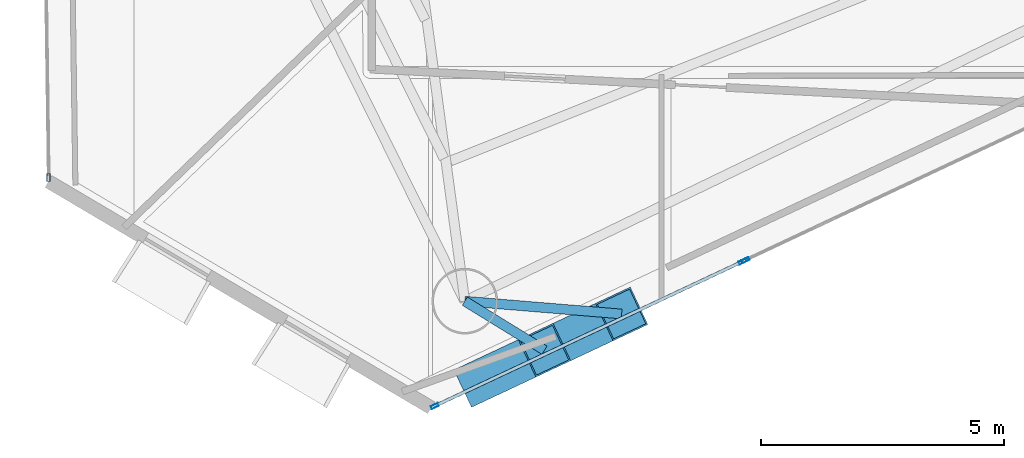
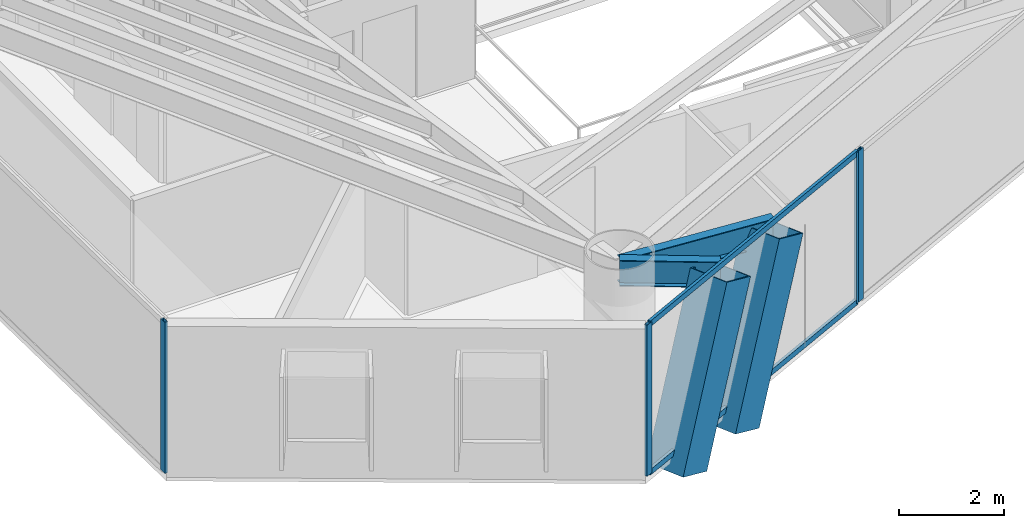
# One storey, part 2 of 20: 8 members, 2 beams, 3 elements without a shape of their own.
"""IFC4 building model written with IfcOpenShell, lengths in metres."""

from ifc_helpers import new_model, si_unit, direction, frame, origin, origin_2d, place, context, subcontext, project, spatial, hollow_rectangle, i_section, extrude, material, layer, layer_set, material_profile, profile_set, type_object, element, aggregate, save


model = new_model("IFC4")

# Units and contexts
model_context = context("Model", 3, precision=1e-05, world=origin(), true_north=direction((0.0, 1.0)))
body_context = subcontext(model_context, "Body", "Model", "MODEL_VIEW")
ifc_project = project(units=[si_unit("LENGTHUNIT", "METRE"), si_unit("AREAUNIT", "SQUARE_METRE"), si_unit("VOLUMEUNIT", "CUBIC_METRE"), si_unit("PLANEANGLEUNIT", "RADIAN"), si_unit("MASSUNIT", "GRAM", prefix="KILO")], contexts=[model_context])

# Site, building, storey
site_placement = place(None, origin())
site = spatial("IfcSite", under=ifc_project, at=site_placement, CompositionType="ELEMENT")
building_placement = place(site_placement, origin())
building = spatial("IfcBuilding", under=site, at=building_placement, Name="Qianvela Tower", CompositionType="ELEMENT")
storey_placement = place(building_placement, frame((0.0, 0.0, 151.300048828125)))
storey = spatial("IfcBuildingStorey", under=building, at=storey_placement, Name="L38", CompositionType="ELEMENT", Elevation=151.300048828125)

# Beams
ifc_material_1 = material(Name="Steel Q355B", Category="steel")
ifc_material_profile_1 = material_profile(ifc_material_1, i_section(OverallWidth=0.199951171875, OverallDepth=0.60009765625, WebThickness=0.010986328125, FlangeThickness=0.01708984375, at=origin_2d()), Name="HN600x200x11x17")
ifc_profile_set_1 = profile_set([ifc_material_profile_1], Name="Steel Q355B")
beam_type = type_object("IfcBeamType", Name="BM-HN600-GIRD", PredefinedType="BEAM", material=ifc_profile_set_1)
beam_1_placement = place(storey_placement, frame((30.346923828125, 10.908935546875, 3.218017578125), z_axis=(0.851584274537, -0.52421772515, 0.0), x_axis=(0.52421772515, 0.851584274537, 0.0)))
element("IfcBeam", 1, at=beam_1_placement, inside=storey, type_object=beam_type, Name="L38 Mega-Brace Column Tie Bracket F3-1", PredefinedType="BEAM", context=body_context, shape_type="SweptSolid", body=[
    extrude(i_section(OverallWidth=0.199951171875, OverallDepth=0.60009765625, WebThickness=0.010986328125, FlangeThickness=0.01708984375, at=origin_2d()), origin(), (0.0, 0.0, 1.0), 1.9248046875),
])
beam_2_placement = place(storey_placement, frame((30.346923828125, 10.908935546875, 3.218017578125), z_axis=(0.996663358649, -0.081621991679, 0.0), x_axis=(0.081621991679, 0.996663358649, 0.0)))
element("IfcBeam", 2, at=beam_2_placement, inside=storey, type_object=beam_type, Name="L38 Mega-Brace Column Tie Bracket F3-2", PredefinedType="BEAM", context=body_context, shape_type="SweptSolid", body=[
    extrude(i_section(OverallWidth=0.199951171875, OverallDepth=0.60009765625, WebThickness=0.010986328125, FlangeThickness=0.01708984375, at=origin_2d()), origin(), (0.0, 0.0, 1.0), 3.236328125),
])

# Curtain wall, members
ifc_material_2 = material(Name="Anodised Architectural Aluminium and Insulated Spandrel Panel", Category="aluminium")
ifc_layer_1 = layer(ifc_material_2, 0.179931640625)
ifc_layer_set_1 = layer_set([ifc_layer_1], Name="Anodised Architectural Aluminium and Insulated Spandrel Panel")
curtain_wall_type_1 = type_object("IfcCurtainWallType", Name="CW-BRACEBAY", PredefinedType="USERDEFINED", material=ifc_layer_set_1)
curtain_wall_1_placement = place(storey_placement, origin())
curtain_wall_1 = element("IfcCurtainWall", 3, at=curtain_wall_1_placement, inside=storey, type_object=curtain_wall_type_1, Name="L38 CW-BRACEBAY Curtain Wall 06A", ObjectType="CURTAIN_WALL_SYSTEM", PredefinedType="USERDEFINED")
ifc_material_3 = material(Name="Anodised Architectural Aluminium 6063-T6", Category="aluminium")
ifc_material_profile_2 = material_profile(ifc_material_3, hollow_rectangle(XDim=0.06494140625, YDim=0.159912109375, WallThickness=0.0048828125, at=origin_2d()), Name="ALU-MULL-65x160")
ifc_profile_set_2 = profile_set([ifc_material_profile_2], Name="Anodised Architectural Aluminium 6063-T6")
member_type_1 = type_object("IfcMemberType", Name="CW-BRACEBAY-MULL", PredefinedType="MULLION", material=ifc_profile_set_2)
member_1_placement = place(storey_placement, frame((29.72998046875, 8.751953125, 0.0), z_axis=(0.0, 0.0, 1.0), x_axis=(-0.425032205398, 0.905178227961, 0.0)))
member_1 = element("IfcMember", 4, at=member_1_placement, type_object=member_type_1, Name="CW-9 mullion 1", PredefinedType="MULLION", context=body_context, shape_type="SweptSolid", body=[
    extrude(hollow_rectangle(XDim=0.06494140625, YDim=0.159912109375, WallThickness=0.0048828125, at=origin_2d()), origin(), (0.0, 0.0, 1.0), 3.52001953125),
])
member_2_placement = place(storey_placement, frame((36.0615234375, 11.72509765625, 0.0), z_axis=(0.0, 0.0, 1.0), x_axis=(-0.425032205398, 0.905178227961, 0.0)))
member_2 = element("IfcMember", 5, at=member_2_placement, type_object=member_type_1, Name="CW-9 mullion 2", PredefinedType="MULLION", context=body_context, shape_type="SweptSolid", body=[
    extrude(hollow_rectangle(XDim=0.06494140625, YDim=0.159912109375, WallThickness=0.0048828125, at=origin_2d()), origin(), (0.0, 0.0, 1.0), 3.52001953125),
])
ifc_material_4 = material(Name="Anodised Architectural Aluminium 6063-T6", Category="aluminium")
ifc_material_profile_3 = material_profile(ifc_material_4, hollow_rectangle(XDim=0.06494140625, YDim=0.1298828125, WallThickness=0.00439453125, at=origin_2d()), Name="ALU-TRAN-65x130")
ifc_profile_set_3 = profile_set([ifc_material_profile_3], Name="Anodised Architectural Aluminium 6063-T6")
member_type_2 = type_object("IfcMemberType", Name="CW-BRACEBAY-TRAN", PredefinedType="USERDEFINED", material=ifc_profile_set_3)
member_3_placement = place(storey_placement, frame((29.75927734375, 8.765869140625, 0.032470703125), z_axis=(0.905188819232, 0.425009648759, 0.0), x_axis=(-0.425009648759, 0.905188819232, 0.0)))
member_3 = element("IfcMember", 6, at=member_3_placement, type_object=member_type_2, Name="CW-9 transom 1.1", ObjectType="TRANSOM", PredefinedType="USERDEFINED", context=body_context, shape_type="SweptSolid", body=[
    extrude(hollow_rectangle(XDim=0.06494140625, YDim=0.1298828125, WallThickness=0.00439453125, at=origin_2d()), origin(), (0.0, 0.0, 1.0), 6.929931640625),
])
member_4_placement = place(storey_placement, frame((29.75927734375, 8.765869140625, 3.487548828125), z_axis=(0.905188819232, 0.425009648759, 0.0), x_axis=(-0.425009648759, 0.905188819232, 0.0)))
member_4 = element("IfcMember", 7, at=member_4_placement, type_object=member_type_2, Name="CW-9 transom 1.2", ObjectType="TRANSOM", PredefinedType="USERDEFINED", context=body_context, shape_type="SweptSolid", body=[
    extrude(hollow_rectangle(XDim=0.06494140625, YDim=0.1298828125, WallThickness=0.00439453125, at=origin_2d()), origin(), (0.0, 0.0, 1.0), 6.929931640625),
])
aggregate(curtain_wall_1, [member_1, member_2, member_3, member_4])

# Curtain wall, member
ifc_material_5 = material(Name="Anodised Architectural Aluminium and Low-E Glass", Category="aluminium")
ifc_layer_2 = layer(ifc_material_5, 0.169921875)
ifc_layer_set_2 = layer_set([ifc_layer_2], Name="Anodised Architectural Aluminium and Low-E Glass")
curtain_wall_type_2 = type_object("IfcCurtainWallType", Name="CW-COLIV-Z34", PredefinedType="USERDEFINED", material=ifc_layer_set_2)
curtain_wall_2_placement = place(storey_placement, origin())
curtain_wall_2 = element("IfcCurtainWall", 8, at=curtain_wall_2_placement, inside=storey, type_object=curtain_wall_type_2, Name="L38 CW-COLIV-Z34 Curtain Wall 04C", ObjectType="CURTAIN_WALL_SYSTEM", PredefinedType="USERDEFINED")
ifc_material_6 = material(Name="Anodised Architectural Aluminium 6063-T6", Category="aluminium")
ifc_material_profile_4 = material_profile(ifc_material_6, hollow_rectangle(XDim=0.06494140625, YDim=0.159912109375, WallThickness=0.0048828125, at=origin_2d()), Name="ALU-MULL-65x160")
ifc_profile_set_4 = profile_set([ifc_material_profile_4], Name="Anodised Architectural Aluminium 6063-T6")
member_type_3 = type_object("IfcMemberType", Name="CW-COLIV-Z34-MULL", PredefinedType="MULLION", material=ifc_profile_set_4)
member_5_placement = place(storey_placement, frame((21.784423828125, 13.450927734375, 0.0), z_axis=(0.0, 0.0, 1.0), x_axis=(0.999902589712, 0.013957474238, 0.0)))
member_5 = element("IfcMember", 9, at=member_5_placement, type_object=member_type_3, Name="CW-4 mullion 2", PredefinedType="MULLION", context=body_context, shape_type="SweptSolid", body=[
    extrude(hollow_rectangle(XDim=0.06494140625, YDim=0.159912109375, WallThickness=0.0048828125, at=origin_2d()), origin(), (0.0, 0.0, 1.0), 3.52001953125),
])
aggregate(curtain_wall_2, [member_5])

curtain_wall_3_placement = place(storey_placement, origin())
curtain_wall_3 = element("IfcCurtainWall", 10, at=curtain_wall_3_placement, inside=storey, type_object=curtain_wall_type_2, Name="L38 CW-COLIV-Z34 Curtain Wall 06B", ObjectType="CURTAIN_WALL_SYSTEM", PredefinedType="USERDEFINED")
member_6_placement = place(storey_placement, frame((36.120361328125, 11.752685546875, 0.0), z_axis=(0.0, 0.0, 1.0), x_axis=(-0.425035294193, 0.905176777591, 0.0)))
member_6 = element("IfcMember", 11, at=member_6_placement, type_object=member_type_3, Name="CW-4 mullion 1", PredefinedType="MULLION", context=body_context, shape_type="SweptSolid", body=[
    extrude(hollow_rectangle(XDim=0.06494140625, YDim=0.159912109375, WallThickness=0.0048828125, at=origin_2d()), origin(), (0.0, 0.0, 1.0), 3.52001953125),
])
aggregate(curtain_wall_3, [member_6])

# Members
ifc_material_7 = material(Name="Steel Q420GJC", Category="steel")
ifc_material_profile_5 = material_profile(ifc_material_7, hollow_rectangle(XDim=0.85009765625, YDim=0.85009765625, WallThickness=0.031982421875, at=origin_2d()), Name="MBOX-850x850x32")
ifc_profile_set_5 = profile_set([ifc_material_profile_5], Name="Steel Q420GJC")
member_type_4 = type_object("IfcMemberType", Name="MBR-MBRACE-850", PredefinedType="BRACE", material=ifc_profile_set_5)
member_7_placement = place(storey_placement, frame((30.662109375, 9.278076171875, -0.48193359375), z_axis=(0.332774442374, 0.15629291992, 0.929964350761), x_axis=(-0.42511368124, 0.905139965985, 0.0)))
element("IfcMember", 12, at=member_7_placement, inside=storey, type_object=member_type_4, Name="L38 Tier 6 Exterior Mega-Brace F3A", PredefinedType="BRACE", context=body_context, shape_type="SweptSolid", body=[
    extrude(hollow_rectangle(XDim=0.85009765625, YDim=0.85009765625, WallThickness=0.031982421875, at=origin_2d()), origin(), (0.0, 0.0, 1.0), 3.978515625),
])
member_8_placement = place(storey_placement, frame((32.244140625, 10.02099609375, -0.48193359375), z_axis=(0.333730502304, 0.156714102809, 0.929550774198), x_axis=(-0.425051803013, 0.905169025517, 0.0)))
element("IfcMember", 13, at=member_8_placement, inside=storey, type_object=member_type_4, Name="L38 Tier 6 Exterior Mega-Brace F3B", PredefinedType="BRACE", context=body_context, shape_type="SweptSolid", body=[
    extrude(hollow_rectangle(XDim=0.85009765625, YDim=0.85009765625, WallThickness=0.031982421875, at=origin_2d()), origin(), (0.0, 0.0, 1.0), 3.98046875),
])

save(model, "model.ifc")
